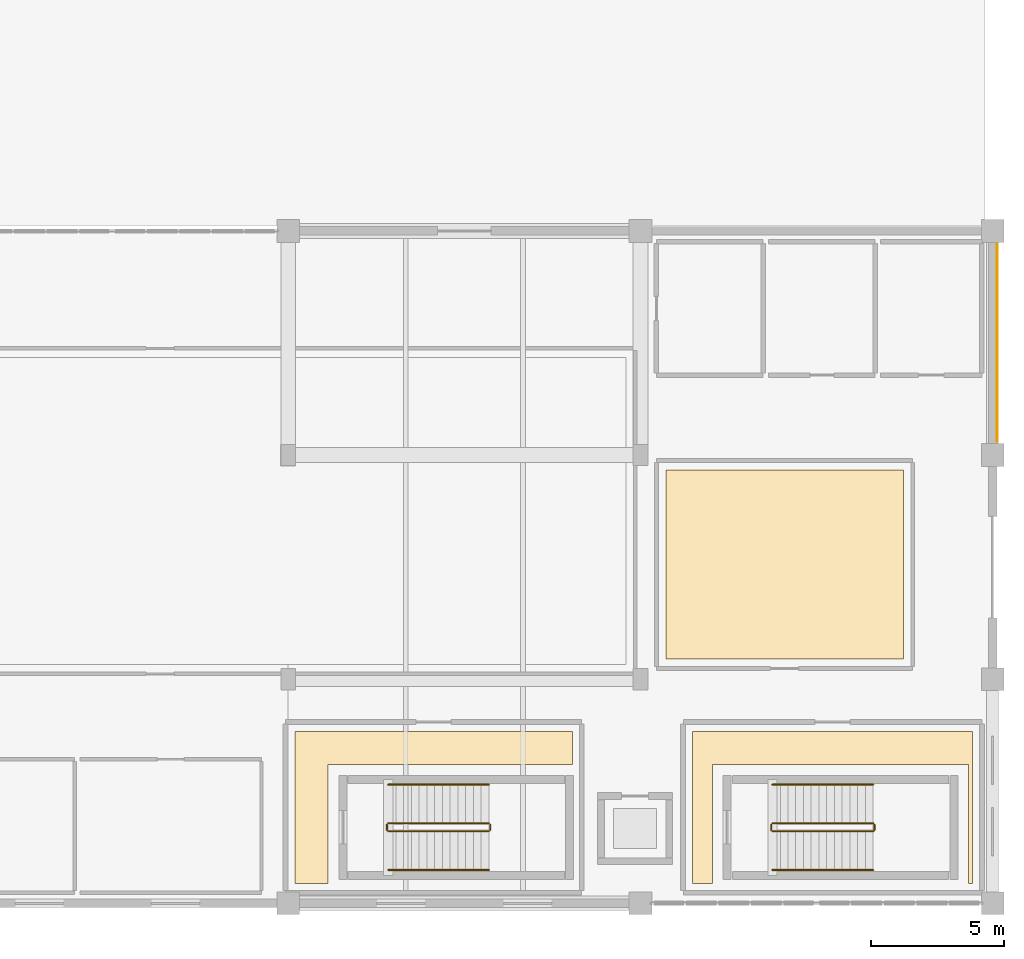
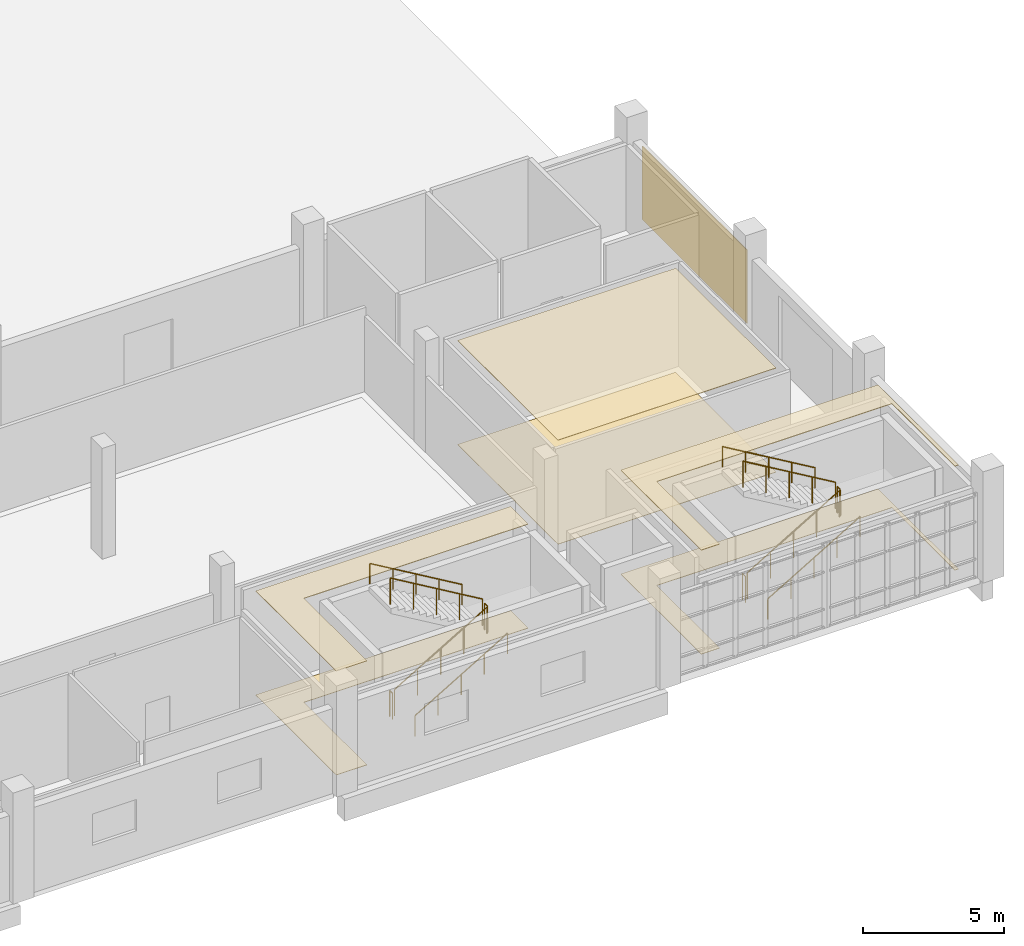
# One storey, part 93 of 97: 12 railings, 7 coverings.
"""IFC4 building model written with IfcOpenShell, lengths in metres."""

import ifcopenshell
import ifcopenshell.guid

model = None  # the IFC model being written
_history = None  # IfcOwnerHistory: only IFC2X3 demands one
_inside = {}  # id of a spatial element -> (the spatial element, [elements in it])
_under = {}  # id of a project, library or spatial element -> (it, [spatial elements below it])
_declared = {}  # id of a project -> (the project, [libraries it declares])
_typed = {}  # id of a type object -> (the type object, [elements of that type])
_made_of = {}  # id of a material, layer set ... -> (it, [elements and type objects made of it])


def new_model(schema):
    """Start an empty IFC model of exactly this schema.

    Asked for "IFC4X3", IfcOpenShell would pick the latest addendum, in which some entities
    have other attributes; the version numbers below select the first issue.
    IFC2X3 requires an IfcOwnerHistory on every rooted entity: one is made here for all.
    """
    global model, _history
    if schema == "IFC4X3":
        model = ifcopenshell.file(schema_version=(4, 3, 0, 0))
    else:
        model = ifcopenshell.file(schema=schema)
    _inside.clear()
    _under.clear()
    _declared.clear()
    _typed.clear()
    _made_of.clear()
    _history = None
    if model.schema == "IFC2X3":
        org = make("IfcOrganization", Name="unknown")
        user = make(
            "IfcPersonAndOrganization",
            ThePerson=make("IfcPerson", FamilyName="unknown"),
            TheOrganization=org,
        )
        app = make(
            "IfcApplication",
            ApplicationDeveloper=org,
            Version="unknown",
            ApplicationFullName="unknown",
            ApplicationIdentifier="unknown",
        )
        _history = make(
            "IfcOwnerHistory",
            OwningUser=user,
            OwningApplication=app,
            ChangeAction="ADDED",
            CreationDate=0,
        )
    return model


def make(cls, **values):
    """One entity of the class cls with the attributes given. An attribute that is None is left unset."""
    return model.create_entity(
        cls, **{name: value for name, value in values.items() if value is not None}
    )


def rooted(cls, **values):
    """An entity with a GlobalId (a new one), such as an element, a storey or a relation."""
    return make(cls, GlobalId=ifcopenshell.guid.new(), OwnerHistory=_history, **values)


def si_unit(unit_type, name, prefix=None):
    """IfcSIUnit, for example si_unit("LENGTHUNIT", "METRE", prefix="MILLI")."""
    return make("IfcSIUnit", UnitType=unit_type, Prefix=prefix, Name=name)


def assignment(units):
    """IfcUnitAssignment: the units of a project."""
    return None if units is None else make("IfcUnitAssignment", Units=units)


def point(xyz):
    """IfcCartesianPoint."""
    return None if xyz is None else make("IfcCartesianPoint", Coordinates=xyz)


def direction(xyz):
    """IfcDirection."""
    return None if xyz is None else make("IfcDirection", DirectionRatios=xyz)


def frame(location, z_axis=None, x_axis=None):
    """IfcAxis2Placement3D, a coordinate frame: its origin and axes. An axis left out is left unset."""
    return make(
        "IfcAxis2Placement3D",
        Location=point(location),
        Axis=direction(z_axis),
        RefDirection=direction(x_axis),
    )


def frame_2d(location, x_axis=None):
    """IfcAxis2Placement2D, a coordinate frame in the plane: its origin and x axis."""
    return make(
        "IfcAxis2Placement2D", Location=point(location), RefDirection=direction(x_axis)
    )


def origin():
    """The frame at (0, 0, 0) with its axes left unset."""
    return frame((0.0, 0.0, 0.0))


def origin_2d():
    """The frame at (0, 0) in the plane with its x axis left unset."""
    return frame_2d((0.0, 0.0))


def place(relative_to, where):
    """IfcLocalPlacement: puts the frame where relative to a parent placement (None: the world)."""
    return make(
        "IfcLocalPlacement", PlacementRelTo=relative_to, RelativePlacement=where
    )


def context(
    kind, dimensions, precision=None, world=None, true_north=None, identifier=None
):
    """IfcGeometricRepresentationContext, for example the 3D "Model" context."""
    return make(
        "IfcGeometricRepresentationContext",
        ContextIdentifier=identifier,
        ContextType=kind,
        CoordinateSpaceDimension=dimensions,
        Precision=precision,
        WorldCoordinateSystem=world,
        TrueNorth=true_north,
    )


def subcontext(parent, identifier, kind, view, scale=None):
    """IfcGeometricRepresentationSubContext, for example "Body" below "Model"."""
    return make(
        "IfcGeometricRepresentationSubContext",
        ContextIdentifier=identifier,
        ContextType=kind,
        ParentContext=parent,
        TargetScale=scale,
        TargetView=view,
    )


def project(units=None, contexts=None):
    """IfcProject with its units and contexts."""
    return rooted(
        "IfcProject",
        Name="project",
        RepresentationContexts=contexts,
        UnitsInContext=assignment(units),
    )


def spatial(cls, under=None, at=None, **own):
    """A site, building, storey or space (cls), placed at a placement, below another one or the project."""
    s = rooted(cls, ObjectPlacement=at, **own)
    if under is not None:
        _under.setdefault(under.id(), (under, []))[1].append(s)
    return s


def polyline(points):
    """IfcPolyline through the points."""
    return make("IfcPolyline", Points=[point(p) for p in points])


def profile(cls, at=None, kind="AREA", **sizes):
    """A parametric profile (cls). Its sizes go by their IFC names, for example OverallWidth=200.0."""
    return make(cls, ProfileType=kind, Position=at, **sizes)


def rectangle(**sizes):
    """IfcRectangleProfileDef."""
    return profile("IfcRectangleProfileDef", **sizes)


def circle(**sizes):
    """IfcCircleProfileDef."""
    return profile("IfcCircleProfileDef", **sizes)


def outline(outer, holes=None, kind="AREA"):
    """IfcArbitraryClosedProfileDef: a profile drawn as a closed curve; with holes, ...WithVoids."""
    if holes is None:
        return make("IfcArbitraryClosedProfileDef", ProfileType=kind, OuterCurve=outer)
    return make(
        "IfcArbitraryProfileDefWithVoids",
        ProfileType=kind,
        OuterCurve=outer,
        InnerCurves=holes,
    )


def extrude(swept, where, along, depth):
    """IfcExtrudedAreaSolid: the profile swept, set in the frame where, extruded along a direction by depth."""
    return make(
        "IfcExtrudedAreaSolid",
        SweptArea=swept,
        Position=where,
        ExtrudedDirection=direction(along),
        Depth=depth,
    )


def shape(context_of_items, identifier, shape_type, items):
    """IfcShapeRepresentation: the items that make up one representation, for example the "Body"."""
    return make(
        "IfcShapeRepresentation",
        ContextOfItems=context_of_items,
        RepresentationIdentifier=identifier,
        RepresentationType=shape_type,
        Items=items,
    )


def material(Name=None, Category=None):
    """IfcMaterial."""
    return make("IfcMaterial", Name=Name, Category=Category)


def layer(
    of_material, thickness, ventilated=None, Name=None, Category=None, Priority=None
):
    """IfcMaterialLayer: one layer of a wall or slab, of a material (None: an air gap)."""
    return make(
        "IfcMaterialLayer",
        Material=of_material,
        LayerThickness=thickness,
        IsVentilated=ventilated,
        Name=Name,
        Category=Category,
        Priority=Priority,
    )


def layer_set(layers, Name=None):
    """IfcMaterialLayerSet."""
    return make("IfcMaterialLayerSet", MaterialLayers=layers, LayerSetName=Name)


def made_of(thing, what):
    """Note that an element or type object is made of a material, layer set ...; save() writes the relation."""
    if what is not None:
        _made_of.setdefault(what.id(), (what, []))[1].append(thing)
    return thing


def type_object(cls, material=None, **own):
    """A type object (cls), such as IfcWallType, which elements share."""
    return made_of(rooted(cls, **own), material)


def element(
    cls,
    number,
    at=None,
    inside=None,
    cuts=None,
    type_object=None,
    material=None,
    context=None,
    identifier="Body",
    shape_type=None,
    held_by="IfcProductDefinitionShape",
    body=None,
    shapes=None,
    **own,
):
    """One element of the class cls, such as IfcWall. Its Tag is "e" and its number.

    at: its placement. inside: the storey or other place that contains it. cuts: it is an
    opening in that element (IfcRelVoidsElement). A single representation is given by context,
    identifier, shape_type and body (its items); several are given by shapes. held_by: the class
    of the entity that holds the representations. save() writes the other relations.
    """
    e = rooted(cls, Tag="e%d" % number, ObjectPlacement=at, **own)
    if body is not None:
        shapes = [shape(context, identifier, shape_type, body)]
    if shapes is not None:
        e.Representation = make(held_by, Representations=shapes)
    if inside is not None:
        _inside.setdefault(inside.id(), (inside, []))[1].append(e)
    if cuts is not None:
        rooted(
            "IfcRelVoidsElement", RelatingBuildingElement=cuts, RelatedOpeningElement=e
        )
    if type_object is not None:
        _typed.setdefault(type_object.id(), (type_object, []))[1].append(e)
    return made_of(e, material)


def aggregate(whole, parts):
    """IfcRelAggregates: a whole, such as a stair, and the parts it consists of."""
    return rooted("IfcRelAggregates", RelatingObject=whole, RelatedObjects=parts)


def save(model, path):
    """Write the relations noted so far, then the file.

    IfcRelAggregates (storeys below a building ...), IfcRelContainedInSpatialStructure (elements
    in a storey), IfcRelDefinesByType, IfcRelAssociatesMaterial and IfcRelDeclares: one each for
    every whole, place, type object, material and project.
    """
    for whole, parts in _under.values():
        aggregate(whole, parts)
    for where, things in _inside.values():
        rooted(
            "IfcRelContainedInSpatialStructure",
            RelatedElements=things,
            RelatingStructure=where,
        )
    for kind, things in _typed.values():
        rooted("IfcRelDefinesByType", RelatedObjects=things, RelatingType=kind)
    for what, things in _made_of.values():
        rooted("IfcRelAssociatesMaterial", RelatedObjects=things, RelatingMaterial=what)
    for by, libraries in _declared.values():
        rooted("IfcRelDeclares", RelatingContext=by, RelatedDefinitions=libraries)
    model.write(path)


model = new_model("IFC4")

# Units and contexts
model_context = context("Model", 3, precision=1e-05, world=origin(), true_north=direction((0.0, 1.0)))
body_context = subcontext(model_context, "Body", "Model", "MODEL_VIEW")
ifc_project = project(units=[si_unit("LENGTHUNIT", "METRE"), si_unit("AREAUNIT", "SQUARE_METRE"), si_unit("VOLUMEUNIT", "CUBIC_METRE"), si_unit("PLANEANGLEUNIT", "RADIAN"), si_unit("MASSUNIT", "GRAM", prefix="KILO")], contexts=[model_context])

# Site, building, storey
site_placement = place(None, origin())
site = spatial("IfcSite", under=ifc_project, at=site_placement, CompositionType="ELEMENT")
building_placement = place(site_placement, origin())
building = spatial("IfcBuilding", under=site, at=building_placement, Name="Kisaragi Civic Commons", CompositionType="ELEMENT")
storey_placement = place(building_placement, origin())
storey = spatial("IfcBuildingStorey", under=building, at=storey_placement, Name="L00", CompositionType="ELEMENT", Elevation=0.0)

# Coverings
ifc_material_1 = material(Name="Extruded Tokoname terracotta rainscreen tile", Category="masonry")
ifc_layer_1 = layer(ifc_material_1, 0.031982421875, Name="Extruded Tokoname terracotta rainscreen tile", Category="masonry")
ifc_layer_set_1 = layer_set([ifc_layer_1], Name="Extruded Tokoname terracotta rainscreen tile")
covering_type_1 = type_object("IfcCoveringType", Name="CLD-02", PredefinedType="CLADDING", material=ifc_layer_set_1)
covering_1_placement = place(storey_placement, frame((172.97412109375, 21.0, 0.25), z_axis=(0.0, 0.0, 1.0), x_axis=(0.0, -1.0, 0.0)))
element("IfcCovering", 1, at=covering_1_placement, inside=storey, type_object=covering_type_1, Name="V3 L00 terracotta facade cladding 4", PredefinedType="CLADDING", context=body_context, shape_type="SweptSolid", body=[
    extrude(rectangle(XDim=7.39990234375, YDim=0.031982421875, at=origin_2d()), origin(), (0.0, 0.0, 1.0), 3.169921875),
])
ifc_material_2 = material(Name="Perforated mineral-fibre & hinoki slat acoustic ceiling")
ifc_layer_2 = layer(ifc_material_2, 0.02490234375, Name="Perforated mineral-fibre & hinoki slat acoustic ceiling")
ifc_layer_set_2 = layer_set([ifc_layer_2], Name="Perforated mineral-fibre & hinoki slat acoustic ceiling")
covering_type_2 = type_object("IfcCoveringType", Name="CLG-02", PredefinedType="CEILING", material=ifc_layer_set_2)
covering_2_placement = place(storey_placement, frame((0.0, 0.0, 4.48291015625)))
element("IfcCovering", 2, at=covering_2_placement, inside=storey, type_object=covering_type_2, Name="Stair Exit Lobby South-West acoustic ceiling", PredefinedType="CEILING", context=body_context, shape_type="SweptSolid", body=[
    extrude(outline(polyline([(157.050048828125, 6.449951171875), (146.64990234375, 6.449951171875), (146.64990234375, 0.75), (147.89990234375, 0.75), (147.89990234375, 5.199951171875), (157.050048828125, 5.199951171875), (157.050048828125, 6.449951171875)])), origin(), (0.0, 0.0, 1.0), 0.025146484375),
])
covering_3_placement = place(storey_placement, frame((0.0, 0.0, 4.48291015625)))
element("IfcCovering", 3, at=covering_3_placement, inside=storey, type_object=covering_type_2, Name="Stair Exit Lobby South-East acoustic ceiling", PredefinedType="CEILING", context=body_context, shape_type="SweptSolid", body=[
    extrude(outline(polyline([(161.550048828125, 0.75), (162.300048828125, 0.75), (162.300048828125, 5.199951171875), (171.89990234375, 5.199951171875), (171.89990234375, 0.75), (172.050048828125, 0.75), (172.050048828125, 6.449951171875), (161.550048828125, 6.449951171875), (161.550048828125, 0.75)])), origin(), (0.0, 0.0, 1.0), 0.025146484375),
])
covering_4_placement = place(storey_placement, frame((0.0, 0.0, 4.48291015625)))
element("IfcCovering", 4, at=covering_4_placement, inside=storey, type_object=covering_type_2, Name="Loading Bay Receiving Room acoustic ceiling", PredefinedType="CEILING", context=body_context, shape_type="SweptSolid", body=[
    extrude(outline(polyline([(169.449951171875, 9.14990234375), (169.449951171875, 16.25), (160.550048828125, 16.25), (160.550048828125, 9.14990234375), (169.449951171875, 9.14990234375)])), origin(), (0.0, 0.0, 1.0), 0.025146484375),
])
ifc_material_3 = material(Name="Honed Mino ceramic tile & resilience acoustic flooring")
ifc_layer_3 = layer(ifc_material_3, 0.01611328125, Name="Honed Mino ceramic tile & resilience acoustic flooring")
ifc_layer_set_3 = layer_set([ifc_layer_3], Name="Honed Mino ceramic tile & resilience acoustic flooring")
covering_type_3 = type_object("IfcCoveringType", Name="FLR-02", PredefinedType="FLOORING", material=ifc_layer_set_3)
covering_5_placement = place(storey_placement, origin())
element("IfcCovering", 5, at=covering_5_placement, inside=storey, type_object=covering_type_3, Name="Stair Exit Lobby South-West floor finish", PredefinedType="FLOORING", context=body_context, shape_type="SweptSolid", body=[
    extrude(outline(polyline([(146.64990234375, 6.449951171875), (146.64990234375, 0.75), (147.89990234375, 0.75), (147.89990234375, 5.199951171875), (157.050048828125, 5.199951171875), (157.050048828125, 6.449951171875), (146.64990234375, 6.449951171875)])), origin(), (0.0, 0.0, 1.0), 0.01611328125),
])
covering_6_placement = place(storey_placement, origin())
element("IfcCovering", 6, at=covering_6_placement, inside=storey, type_object=covering_type_3, Name="Stair Exit Lobby South-East floor finish", PredefinedType="FLOORING", context=body_context, shape_type="SweptSolid", body=[
    extrude(outline(polyline([(162.300048828125, 0.75), (162.300048828125, 5.199951171875), (171.89990234375, 5.199951171875), (171.89990234375, 0.75), (172.050048828125, 0.75), (172.050048828125, 6.449951171875), (161.550048828125, 6.449951171875), (161.550048828125, 0.75), (162.300048828125, 0.75)])), origin(), (0.0, 0.0, 1.0), 0.01611328125),
])
covering_7_placement = place(storey_placement, origin())
element("IfcCovering", 7, at=covering_7_placement, inside=storey, type_object=covering_type_3, Name="Loading Bay Receiving Room floor finish", PredefinedType="FLOORING", context=body_context, shape_type="SweptSolid", body=[
    extrude(outline(polyline([(169.449951171875, 16.25), (160.550048828125, 16.25), (160.550048828125, 9.14990234375), (169.449951171875, 9.14990234375), (169.449951171875, 16.25)])), origin(), (0.0, 0.0, 1.0), 0.01611328125),
])

# Railings
ifc_material_4 = material(Name="Powder-coated architectural steel and hinoki cap rail", Category="steel")
railing_type_1 = type_object("IfcRailingType", Name="GRD-S1", PredefinedType="GUARDRAIL", material=ifc_material_4)
railing_1_placement = place(storey_placement, frame((150.14990234375, 2.699951171875, 0.17138671875)))
element("IfcRailing", 8, at=railing_1_placement, inside=storey, type_object=railing_type_1, Name="L00 ST-D1 stair guard 1", PredefinedType="GUARDRAIL", context=body_context, shape_type="SweptSolid", body=[
    extrude(circle(Radius=0.02392578125, at=origin_2d()), frame((0.0, 0.0, 1.1259765625), z_axis=(0.860848830602, 0.0, 0.508860777473), x_axis=(0.0, 1.0, 0.0)), (0.0, 0.0, 1.0), 4.37939453125),
    extrude(circle(Radius=0.02099609375, at=origin_2d()), origin(), (0.0, 0.0, 1.0), 1.101806640625),
    extrude(circle(Radius=0.02099609375, at=origin_2d()), frame((0.9423828125, 0.0, 0.55712890625)), (0.0, 0.0, 1.0), 1.101806640625),
    extrude(circle(Radius=0.02099609375, at=origin_2d()), frame((1.885009765625, 0.0, 1.1142578125)), (0.0, 0.0, 1.0), 1.101806640625),
    extrude(circle(Radius=0.02099609375, at=origin_2d()), frame((2.82763671875, 0.0, 1.67138671875)), (0.0, 0.0, 1.0), 1.101806640625),
    extrude(circle(Radius=0.02099609375, at=origin_2d()), frame((3.77001953125, 0.0, 2.228515625)), (0.0, 0.0, 1.0), 1.101806640625),
])
railing_2_placement = place(storey_placement, frame((153.969970703125, 2.75, 2.39990234375)))
element("IfcRailing", 9, at=railing_2_placement, inside=storey, type_object=railing_type_1, Name="L00 ST-D1 stair guard 2", PredefinedType="GUARDRAIL", context=body_context, shape_type="SweptSolid", body=[
    extrude(circle(Radius=0.02392578125, at=origin_2d()), frame((0.0, 0.0, 1.1259765625), z_axis=(0.0, 1.0, 0.0), x_axis=(-1.0, 0.0, 0.0)), (0.0, 0.0, 1.0), 0.199951171875),
    extrude(circle(Radius=0.02099609375, at=origin_2d()), origin(), (0.0, 0.0, 1.0), 1.101806640625),
    extrude(circle(Radius=0.02099609375, at=origin_2d()), frame((0.0, 0.199951171875, 0.0)), (0.0, 0.0, 1.0), 1.101806640625),
])
railing_3_placement = place(storey_placement, frame((153.919921875, 3.0, 2.571533203125)))
element("IfcRailing", 10, at=railing_3_placement, inside=storey, type_object=railing_type_1, Name="L00 ST-D1 stair guard 3", PredefinedType="GUARDRAIL", context=body_context, shape_type="SweptSolid", body=[
    extrude(circle(Radius=0.02392578125, at=origin_2d()), frame((0.0, 0.0, 1.1259765625), z_axis=(-0.860848830602, 0.0, 0.508860777473), x_axis=(0.0, -1.0, 0.0)), (0.0, 0.0, 1.0), 4.37939453125),
    extrude(circle(Radius=0.02099609375, at=origin_2d()), origin(), (0.0, 0.0, 1.0), 1.101806640625),
    extrude(circle(Radius=0.02099609375, at=origin_2d()), frame((-0.9423828125, 0.0, 0.55712890625)), (0.0, 0.0, 1.0), 1.101806640625),
    extrude(circle(Radius=0.02099609375, at=origin_2d()), frame((-1.885009765625, 0.0, 1.1142578125)), (0.0, 0.0, 1.0), 1.101806640625),
    extrude(circle(Radius=0.02099609375, at=origin_2d()), frame((-2.82763671875, 0.0, 1.67138671875)), (0.0, 0.0, 1.0), 1.101806640625),
    extrude(circle(Radius=0.02099609375, at=origin_2d()), frame((-3.77001953125, 0.0, 2.228515625)), (0.0, 0.0, 1.0), 1.101806640625),
])
railing_4_placement = place(storey_placement, frame((150.10009765625, 2.75, 0.0)))
element("IfcRailing", 11, at=railing_4_placement, inside=storey, type_object=railing_type_1, Name="L00 ST-D1 stair guard 4", PredefinedType="GUARDRAIL", context=body_context, shape_type="SweptSolid", body=[
    extrude(circle(Radius=0.02392578125, at=origin_2d()), frame((0.0, 0.0, 1.1259765625), z_axis=(0.0, 1.0, 0.0), x_axis=(-1.0, 0.0, 0.0)), (0.0, 0.0, 1.0), 0.199951171875),
    extrude(circle(Radius=0.02099609375, at=origin_2d()), origin(), (0.0, 0.0, 1.0), 1.101806640625),
    extrude(circle(Radius=0.02099609375, at=origin_2d()), frame((0.0, 0.199951171875, 0.0)), (0.0, 0.0, 1.0), 1.101806640625),
])
railing_5_placement = place(storey_placement, frame((164.550048828125, 2.699951171875, 0.17138671875)))
element("IfcRailing", 12, at=railing_5_placement, inside=storey, type_object=railing_type_1, Name="L00 ST-D2 stair guard 1", PredefinedType="GUARDRAIL", context=body_context, shape_type="SweptSolid", body=[
    extrude(circle(Radius=0.02392578125, at=origin_2d()), frame((0.0, 0.0, 1.1259765625), z_axis=(0.860848830602, 0.0, 0.508860777473), x_axis=(0.0, 1.0, 0.0)), (0.0, 0.0, 1.0), 4.37939453125),
    extrude(circle(Radius=0.02099609375, at=origin_2d()), origin(), (0.0, 0.0, 1.0), 1.101806640625),
    extrude(circle(Radius=0.02099609375, at=origin_2d()), frame((0.9423828125, 0.0, 0.55712890625)), (0.0, 0.0, 1.0), 1.101806640625),
    extrude(circle(Radius=0.02099609375, at=origin_2d()), frame((1.885009765625, 0.0, 1.1142578125)), (0.0, 0.0, 1.0), 1.101806640625),
    extrude(circle(Radius=0.02099609375, at=origin_2d()), frame((2.82763671875, 0.0, 1.67138671875)), (0.0, 0.0, 1.0), 1.101806640625),
    extrude(circle(Radius=0.02099609375, at=origin_2d()), frame((3.77001953125, 0.0, 2.228515625)), (0.0, 0.0, 1.0), 1.101806640625),
])
railing_6_placement = place(storey_placement, frame((168.3701171875, 2.75, 2.39990234375)))
element("IfcRailing", 13, at=railing_6_placement, inside=storey, type_object=railing_type_1, Name="L00 ST-D2 stair guard 2", PredefinedType="GUARDRAIL", context=body_context, shape_type="SweptSolid", body=[
    extrude(circle(Radius=0.02392578125, at=origin_2d()), frame((0.0, 0.0, 1.1259765625), z_axis=(0.0, 1.0, 0.0), x_axis=(-1.0, 0.0, 0.0)), (0.0, 0.0, 1.0), 0.199951171875),
    extrude(circle(Radius=0.02099609375, at=origin_2d()), origin(), (0.0, 0.0, 1.0), 1.101806640625),
    extrude(circle(Radius=0.02099609375, at=origin_2d()), frame((0.0, 0.199951171875, 0.0)), (0.0, 0.0, 1.0), 1.101806640625),
])
railing_7_placement = place(storey_placement, frame((168.320068359375, 3.0, 2.571533203125)))
element("IfcRailing", 14, at=railing_7_placement, inside=storey, type_object=railing_type_1, Name="L00 ST-D2 stair guard 3", PredefinedType="GUARDRAIL", context=body_context, shape_type="SweptSolid", body=[
    extrude(circle(Radius=0.02392578125, at=origin_2d()), frame((0.0, 0.0, 1.1259765625), z_axis=(-0.860848830602, 0.0, 0.508860777473), x_axis=(0.0, -1.0, 0.0)), (0.0, 0.0, 1.0), 4.37939453125),
    extrude(circle(Radius=0.02099609375, at=origin_2d()), origin(), (0.0, 0.0, 1.0), 1.101806640625),
    extrude(circle(Radius=0.02099609375, at=origin_2d()), frame((-0.9423828125, 0.0, 0.55712890625)), (0.0, 0.0, 1.0), 1.101806640625),
    extrude(circle(Radius=0.02099609375, at=origin_2d()), frame((-1.885009765625, 0.0, 1.1142578125)), (0.0, 0.0, 1.0), 1.101806640625),
    extrude(circle(Radius=0.02099609375, at=origin_2d()), frame((-2.82763671875, 0.0, 1.67138671875)), (0.0, 0.0, 1.0), 1.101806640625),
    extrude(circle(Radius=0.02099609375, at=origin_2d()), frame((-3.77001953125, 0.0, 2.228515625)), (0.0, 0.0, 1.0), 1.101806640625),
])
railing_8_placement = place(storey_placement, frame((164.5, 2.75, 0.0)))
element("IfcRailing", 15, at=railing_8_placement, inside=storey, type_object=railing_type_1, Name="L00 ST-D2 stair guard 4", PredefinedType="GUARDRAIL", context=body_context, shape_type="SweptSolid", body=[
    extrude(circle(Radius=0.02392578125, at=origin_2d()), frame((0.0, 0.0, 1.1259765625), z_axis=(0.0, 1.0, 0.0), x_axis=(-1.0, 0.0, 0.0)), (0.0, 0.0, 1.0), 0.199951171875),
    extrude(circle(Radius=0.02099609375, at=origin_2d()), origin(), (0.0, 0.0, 1.0), 1.101806640625),
    extrude(circle(Radius=0.02099609375, at=origin_2d()), frame((0.0, 0.199951171875, 0.0)), (0.0, 0.0, 1.0), 1.101806640625),
])
railing_type_2 = type_object("IfcRailingType", Name="HRL-01", PredefinedType="HANDRAIL", material=ifc_material_4)
railing_9_placement = place(storey_placement, frame((150.14990234375, 1.25, 0.17138671875)))
element("IfcRailing", 16, at=railing_9_placement, inside=storey, type_object=railing_type_2, Name="L00 ST-D1 stair handrail 1", PredefinedType="HANDRAIL", context=body_context, shape_type="SweptSolid", body=[
    extrude(circle(Radius=0.02392578125, at=origin_2d()), frame((0.0, 0.0, 0.8759765625), z_axis=(0.860848830602, 0.0, 0.508860777473), x_axis=(0.0, 1.0, 0.0)), (0.0, 0.0, 1.0), 4.37939453125),
    extrude(circle(Radius=0.02099609375, at=origin_2d()), origin(), (0.0, 0.0, 1.0), 0.851806640625),
    extrude(circle(Radius=0.02099609375, at=origin_2d()), frame((0.9423828125, 0.0, 0.55712890625)), (0.0, 0.0, 1.0), 0.851806640625),
    extrude(circle(Radius=0.02099609375, at=origin_2d()), frame((1.885009765625, 0.0, 1.1142578125)), (0.0, 0.0, 1.0), 0.851806640625),
    extrude(circle(Radius=0.02099609375, at=origin_2d()), frame((2.82763671875, 0.0, 1.67138671875)), (0.0, 0.0, 1.0), 0.851806640625),
    extrude(circle(Radius=0.02099609375, at=origin_2d()), frame((3.77001953125, 0.0, 2.228515625)), (0.0, 0.0, 1.0), 0.851806640625),
])
railing_10_placement = place(storey_placement, frame((153.919921875, 4.449951171875, 2.571533203125)))
element("IfcRailing", 17, at=railing_10_placement, inside=storey, type_object=railing_type_2, Name="L00 ST-D1 stair handrail 2", PredefinedType="HANDRAIL", context=body_context, shape_type="SweptSolid", body=[
    extrude(circle(Radius=0.02392578125, at=origin_2d()), frame((0.0, 0.0, 0.8759765625), z_axis=(-0.860848830602, 0.0, 0.508860777473), x_axis=(0.0, -1.0, 0.0)), (0.0, 0.0, 1.0), 4.37939453125),
    extrude(circle(Radius=0.02099609375, at=origin_2d()), origin(), (0.0, 0.0, 1.0), 0.851806640625),
    extrude(circle(Radius=0.02099609375, at=origin_2d()), frame((-0.9423828125, 0.0, 0.55712890625)), (0.0, 0.0, 1.0), 0.851806640625),
    extrude(circle(Radius=0.02099609375, at=origin_2d()), frame((-1.885009765625, 0.0, 1.1142578125)), (0.0, 0.0, 1.0), 0.851806640625),
    extrude(circle(Radius=0.02099609375, at=origin_2d()), frame((-2.82763671875, 0.0, 1.67138671875)), (0.0, 0.0, 1.0), 0.851806640625),
    extrude(circle(Radius=0.02099609375, at=origin_2d()), frame((-3.77001953125, 0.0, 2.228515625)), (0.0, 0.0, 1.0), 0.851806640625),
])
railing_11_placement = place(storey_placement, frame((164.550048828125, 1.25, 0.17138671875)))
element("IfcRailing", 18, at=railing_11_placement, inside=storey, type_object=railing_type_2, Name="L00 ST-D2 stair handrail 1", PredefinedType="HANDRAIL", context=body_context, shape_type="SweptSolid", body=[
    extrude(circle(Radius=0.02392578125, at=origin_2d()), frame((0.0, 0.0, 0.8759765625), z_axis=(0.860848830602, 0.0, 0.508860777473), x_axis=(0.0, 1.0, 0.0)), (0.0, 0.0, 1.0), 4.37939453125),
    extrude(circle(Radius=0.02099609375, at=origin_2d()), origin(), (0.0, 0.0, 1.0), 0.851806640625),
    extrude(circle(Radius=0.02099609375, at=origin_2d()), frame((0.9423828125, 0.0, 0.55712890625)), (0.0, 0.0, 1.0), 0.851806640625),
    extrude(circle(Radius=0.02099609375, at=origin_2d()), frame((1.885009765625, 0.0, 1.1142578125)), (0.0, 0.0, 1.0), 0.851806640625),
    extrude(circle(Radius=0.02099609375, at=origin_2d()), frame((2.82763671875, 0.0, 1.67138671875)), (0.0, 0.0, 1.0), 0.851806640625),
    extrude(circle(Radius=0.02099609375, at=origin_2d()), frame((3.77001953125, 0.0, 2.228515625)), (0.0, 0.0, 1.0), 0.851806640625),
])
railing_12_placement = place(storey_placement, frame((168.320068359375, 4.449951171875, 2.571533203125)))
element("IfcRailing", 19, at=railing_12_placement, inside=storey, type_object=railing_type_2, Name="L00 ST-D2 stair handrail 2", PredefinedType="HANDRAIL", context=body_context, shape_type="SweptSolid", body=[
    extrude(circle(Radius=0.02392578125, at=origin_2d()), frame((0.0, 0.0, 0.8759765625), z_axis=(-0.860848830602, 0.0, 0.508860777473), x_axis=(0.0, -1.0, 0.0)), (0.0, 0.0, 1.0), 4.37939453125),
    extrude(circle(Radius=0.02099609375, at=origin_2d()), origin(), (0.0, 0.0, 1.0), 0.851806640625),
    extrude(circle(Radius=0.02099609375, at=origin_2d()), frame((-0.9423828125, 0.0, 0.55712890625)), (0.0, 0.0, 1.0), 0.851806640625),
    extrude(circle(Radius=0.02099609375, at=origin_2d()), frame((-1.885009765625, 0.0, 1.1142578125)), (0.0, 0.0, 1.0), 0.851806640625),
    extrude(circle(Radius=0.02099609375, at=origin_2d()), frame((-2.82763671875, 0.0, 1.67138671875)), (0.0, 0.0, 1.0), 0.851806640625),
    extrude(circle(Radius=0.02099609375, at=origin_2d()), frame((-3.77001953125, 0.0, 2.228515625)), (0.0, 0.0, 1.0), 0.851806640625),
])

save(model, "model.ifc")
